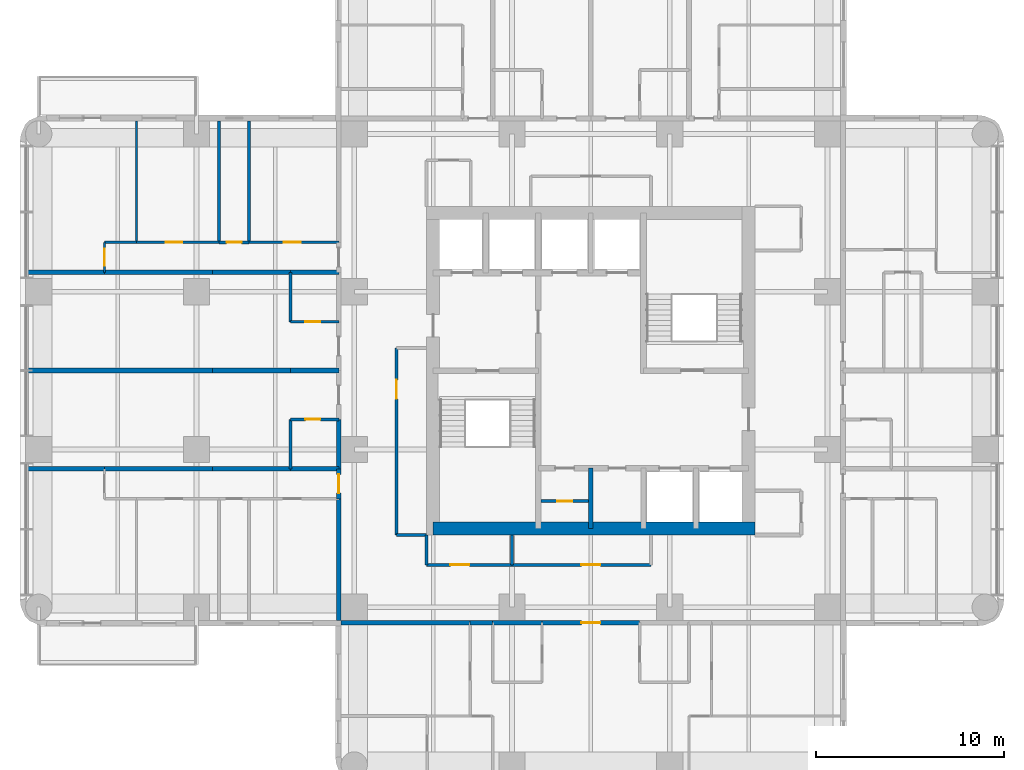
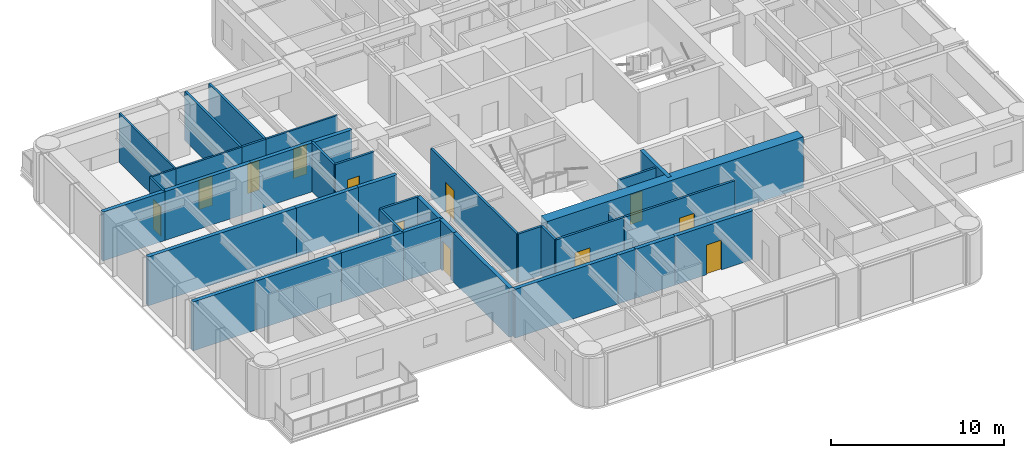
# One storey, part 5 of 11: 39 walls, 12 doors, 12 openings.
"""IFC4 building model written with IfcOpenShell, lengths in metres."""

from ifc_helpers import new_model, si_unit, direction, frame, frame_2d, origin, place, context, subcontext, project, spatial, rectangle, extrude, material, layer, layer_set, type_object, element, fill, save


model = new_model("IFC4")

# Units and contexts
model_context = context("Model", 3, precision=1e-05, world=origin(), true_north=direction((0.0, 1.0)))
body_context = subcontext(model_context, "Body", "Model", "MODEL_VIEW")
ifc_project = project(units=[si_unit("LENGTHUNIT", "METRE"), si_unit("AREAUNIT", "SQUARE_METRE"), si_unit("VOLUMEUNIT", "CUBIC_METRE"), si_unit("PLANEANGLEUNIT", "RADIAN"), si_unit("MASSUNIT", "GRAM", prefix="KILO")], contexts=[model_context])

# Site, building, storey
site_placement = place(None, origin())
site = spatial("IfcSite", under=ifc_project, at=site_placement, CompositionType="ELEMENT")
building_placement = place(site_placement, origin())
building = spatial("IfcBuilding", under=site, at=building_placement, Name="Torre Alcanfor", CompositionType="ELEMENT")
storey_placement = place(building_placement, frame((0.0, 0.0, 222.89990234375)))
storey = spatial("IfcBuildingStorey", under=building, at=storey_placement, Name="L58", CompositionType="ELEMENT", Elevation=222.89990234375)

# Wall, opening, door
ifc_material_1 = material(Name="Concrete block masonry, hollow blocks NMX-C-404 9 MPa", Category="masonry")
ifc_layer_1 = layer(ifc_material_1, 0.25)
ifc_layer_set_1 = layer_set([ifc_layer_1], Name="Apartment entrance wall 250 EI 60")
wall_type_1 = type_object("IfcWallType", Name="Apartment entrance wall 250 EI 60", PredefinedType="PARTITIONING", material=ifc_layer_set_1)
wall_1_placement = place(storey_placement, frame((32.0, 15.97509765625, 0.0), z_axis=(0.0, 0.0, 1.0), x_axis=(-1.0, 0.0, 0.0)))
wall_1 = element("IfcWall", 1, at=wall_1_placement, inside=storey, type_object=wall_type_1, Name="Partition L58-CORR / L58-SX-ZAG", PredefinedType="PARTITIONING", context=body_context, shape_type="SweptSolid", body=[
    extrude(rectangle(XDim=5.199951171875, YDim=0.25, at=frame_2d((2.60009765625, 0.0))), origin(), (0.0, 0.0, 1.0), 3.4501953125),
])
opening_1_placement = place(wall_1_placement, frame((2.10009765625, 0.0, 0.0)))
opening_1 = element("IfcOpeningElement", 2, at=opening_1_placement, cuts=wall_1, Name="Opening D-A1", PredefinedType="OPENING", context=body_context, shape_type="SweptSolid", body=[
    extrude(rectangle(XDim=1.0, YDim=2.10009765625, at=frame_2d((0.5, 1.050048828125))), frame((0.0, 0.135009765625, 0.0), z_axis=(0.0, -1.0, 0.0), x_axis=(1.0, 0.0, 0.0)), (0.0, 0.0, 1.0), 0.27001953125),
])
ifc_material_2 = material(Name="Galvanised steel sheet ASTM A653", Category="steel")
door_type_1 = type_object("IfcDoorType", Name="Apartment entrance door FD60 1000x2100", OperationType="SINGLE_SWING_LEFT", PredefinedType="DOOR", material=ifc_material_2)
door_1_placement = place(opening_1_placement, origin())
door_1 = element("IfcDoor", 3, at=door_1_placement, inside=storey, type_object=door_type_1, Name="Apartment entrance L58-SX", OperationType="SINGLE_SWING_LEFT", OverallHeight=2.10009765625, OverallWidth=1.0, PredefinedType="DOOR", context=body_context, shape_type="SweptSolid", body=[
    extrude(rectangle(XDim=1.0, YDim=2.10009765625, at=frame_2d((0.5, 1.050048828125))), frame((0.0, 0.02490234375, 0.0), z_axis=(0.0, -1.0, 0.0), x_axis=(1.0, 0.0, 0.0)), (0.0, 0.0, 1.0), 0.050048828125),
])
fill(opening_1, door_1)

# Walls
wall_2_placement = place(storey_placement, frame((26.800048828125, 15.97509765625, 0.0), z_axis=(0.0, 0.0, 1.0), x_axis=(-1.0, 0.0, 0.0)))
element("IfcWall", 4, at=wall_2_placement, inside=storey, type_object=wall_type_1, Name="Partition L58-CORR / L58-SX-KITCHEN", PredefinedType="PARTITIONING", context=body_context, shape_type="SweptSolid", body=[
    extrude(rectangle(XDim=2.629150390625, YDim=0.25, at=frame_2d((1.314453125, 0.0))), origin(), (0.0, 0.0, 1.0), 3.4501953125),
])
wall_3_placement = place(storey_placement, frame((24.1708984375, 15.97509765625, 0.0), z_axis=(0.0, 0.0, 1.0), x_axis=(-1.0, 0.0, 0.0)))
element("IfcWall", 5, at=wall_3_placement, inside=storey, type_object=wall_type_1, Name="Partition L58-CORR / L58-SX-LIVING", PredefinedType="PARTITIONING", context=body_context, shape_type="SweptSolid", body=[
    extrude(rectangle(XDim=1.199951171875, YDim=0.25, at=frame_2d((0.60009765625, 0.0))), origin(), (0.0, 0.0, 1.0), 3.4501953125),
])
wall_4_placement = place(storey_placement, frame((22.970947265625, 15.97509765625, 0.0), z_axis=(0.0, 0.0, 1.0), x_axis=(-1.0, 0.0, 0.0)))
element("IfcWall", 6, at=wall_4_placement, inside=storey, type_object=wall_type_1, Name="Partition L58-CORR / L58-SX-BED3", PredefinedType="PARTITIONING", context=body_context, shape_type="SweptSolid", body=[
    extrude(rectangle(XDim=6.870849609375, YDim=0.25, at=frame_2d((3.435546875, 0.0))), origin(), (0.0, 0.0, 1.0), 3.4501953125),
])
wall_5_placement = place(storey_placement, frame((15.97509765625, 24.1708984375, 0.0), z_axis=(0.0, 0.0, 1.0), x_axis=(0.0, 1.0, 0.0)))
element("IfcWall", 7, at=wall_5_placement, inside=storey, type_object=wall_type_1, Name="Partition L58-CORR / L58-W1A-BATH", PredefinedType="PARTITIONING", context=body_context, shape_type="SweptSolid", body=[
    extrude(rectangle(XDim=2.629150390625, YDim=0.25, at=frame_2d((1.314453125, 0.0))), origin(), (0.0, 0.0, 1.0), 3.4501953125),
])

# Wall, opening, door
wall_6_placement = place(storey_placement, frame((15.97509765625, 22.571044921875, 0.0), z_axis=(0.0, 0.0, 1.0), x_axis=(0.0, 1.0, 0.0)))
wall_6 = element("IfcWall", 8, at=wall_6_placement, inside=storey, type_object=wall_type_1, Name="Partition L58-CORR / L58-W1B-HALL", PredefinedType="PARTITIONING", context=body_context, shape_type="SweptSolid", body=[
    extrude(rectangle(XDim=1.599853515625, YDim=0.25, at=frame_2d((0.7998046875, 0.0))), origin(), (0.0, 0.0, 1.0), 3.4501953125),
])
opening_2_placement = place(wall_6_placement, frame((0.300048828125, 0.0, 0.0)))
opening_2 = element("IfcOpeningElement", 9, at=opening_2_placement, cuts=wall_6, Name="Opening D-A1", PredefinedType="OPENING", context=body_context, shape_type="SweptSolid", body=[
    extrude(rectangle(XDim=1.0, YDim=2.10009765625, at=frame_2d((0.5, 1.050048828125))), frame((0.0, 0.135009765625, 0.0), z_axis=(0.0, -1.0, 0.0), x_axis=(1.0, 0.0, 0.0)), (0.0, 0.0, 1.0), 0.27001953125),
])
door_2_placement = place(opening_2_placement, origin())
door_2 = element("IfcDoor", 10, at=door_2_placement, inside=storey, type_object=door_type_1, Name="Apartment entrance L58-W1B", OperationType="SINGLE_SWING_LEFT", OverallHeight=2.10009765625, OverallWidth=1.0, PredefinedType="DOOR", context=body_context, shape_type="SweptSolid", body=[
    extrude(rectangle(XDim=1.0, YDim=2.10009765625, at=frame_2d((0.5, 1.050048828125))), frame((0.0, 0.02490234375, 0.0), z_axis=(0.0, -1.0, 0.0), x_axis=(1.0, 0.0, 0.0)), (0.0, 0.0, 1.0), 0.050048828125),
])
fill(opening_2, door_2)

# Wall
wall_7_placement = place(storey_placement, frame((15.97509765625, 16.10009765625, 0.0), z_axis=(0.0, 0.0, 1.0), x_axis=(0.0, 1.0, 0.0)))
element("IfcWall", 11, at=wall_7_placement, inside=storey, type_object=wall_type_1, Name="Partition L58-CORR / L58-W1B-MASTER", PredefinedType="PARTITIONING", context=body_context, shape_type="SweptSolid", body=[
    extrude(rectangle(XDim=6.470947265625, YDim=0.25, at=frame_2d((3.2353515625, 0.0))), origin(), (0.0, 0.0, 1.0), 3.4501953125),
])

# Wall, opening, door
ifc_material_3 = material(Name="Gypsum board on steel studs", Category="steel")
ifc_layer_2 = layer(ifc_material_3, 0.1201171875)
ifc_layer_set_2 = layer_set([ifc_layer_2], Name="Apartment partition 120")
wall_type_2 = type_object("IfcWallType", Name="Apartment partition 120", PredefinedType="PARTITIONING", material=ifc_layer_set_2)
wall_8_placement = place(storey_placement, frame((11.199951171875, 36.22900390625, 0.0), z_axis=(0.0, 0.0, 1.0), x_axis=(1.0, 0.0, 0.0)))
wall_8 = element("IfcWall", 12, at=wall_8_placement, inside=storey, type_object=wall_type_2, Name="Partition L58-W2B-HALL / L58-W2B-MASTER", PredefinedType="PARTITIONING", context=body_context, shape_type="SweptSolid", body=[
    extrude(rectangle(XDim=4.775146484375, YDim=0.1201171875, at=frame_2d((2.3876953125, 0.0))), origin(), (0.0, 0.0, 1.0), 3.4501953125),
])
opening_3_placement = place(wall_8_placement, frame((1.85009765625, 0.0, 0.0)))
opening_3 = element("IfcOpeningElement", 13, at=opening_3_placement, cuts=wall_8, Name="Opening D-R1", PredefinedType="OPENING", context=body_context, shape_type="SweptSolid", body=[
    extrude(rectangle(XDim=0.89990234375, YDim=2.10009765625, at=frame_2d((0.449951171875, 1.050048828125))), frame((0.0, 0.070068359375, 0.0), z_axis=(0.0, -1.0, 0.0), x_axis=(1.0, 0.0, 0.0)), (0.0, 0.0, 1.0), 0.14013671875),
])
ifc_material_4 = material(Name="Timber", Category="wood")
door_type_2 = type_object("IfcDoorType", Name="Internal door 900x2100", OperationType="SINGLE_SWING_LEFT", PredefinedType="DOOR", material=ifc_material_4)
door_3_placement = place(opening_3_placement, origin())
door_3 = element("IfcDoor", 14, at=door_3_placement, inside=storey, type_object=door_type_2, Name="Door L58-W2B master", OperationType="SINGLE_SWING_LEFT", OverallHeight=2.10009765625, OverallWidth=0.89990234375, PredefinedType="DOOR", context=body_context, shape_type="SweptSolid", body=[
    extrude(rectangle(XDim=0.89990234375, YDim=2.10009765625, at=frame_2d((0.449951171875, 1.050048828125))), frame((0.0, 0.02490234375, 0.0), z_axis=(0.0, -1.0, 0.0), x_axis=(1.0, 0.0, 0.0)), (0.0, 0.0, 1.0), 0.050048828125),
])
fill(opening_3, door_3)

wall_9_placement = place(storey_placement, frame((5.199951171875, 36.22900390625, 0.0), z_axis=(0.0, 0.0, 1.0), x_axis=(1.0, 0.0, 0.0)))
wall_9 = element("IfcWall", 15, at=wall_9_placement, inside=storey, type_object=wall_type_2, Name="Partition L58-W2B-HALL / L58-W2B-STUDY", PredefinedType="PARTITIONING", context=body_context, shape_type="SweptSolid", body=[
    extrude(rectangle(XDim=4.400146484375, YDim=0.1201171875, at=frame_2d((2.2001953125, 0.0))), origin(), (0.0, 0.0, 1.0), 3.4501953125),
])
opening_4_placement = place(wall_9_placement, frame((1.550048828125, 0.0, 0.0)))
opening_4 = element("IfcOpeningElement", 16, at=opening_4_placement, cuts=wall_9, Name="Opening D-R1", PredefinedType="OPENING", context=body_context, shape_type="SweptSolid", body=[
    extrude(rectangle(XDim=0.89990234375, YDim=2.10009765625, at=frame_2d((0.449951171875, 1.050048828125))), frame((0.0, 0.070068359375, 0.0), z_axis=(0.0, -1.0, 0.0), x_axis=(1.0, 0.0, 0.0)), (0.0, 0.0, 1.0), 0.14013671875),
])
door_4_placement = place(opening_4_placement, origin())
door_4 = element("IfcDoor", 17, at=door_4_placement, inside=storey, type_object=door_type_2, Name="Door L58-W2B study", OperationType="SINGLE_SWING_LEFT", OverallHeight=2.10009765625, OverallWidth=0.89990234375, PredefinedType="DOOR", context=body_context, shape_type="SweptSolid", body=[
    extrude(rectangle(XDim=0.89990234375, YDim=2.10009765625, at=frame_2d((0.449951171875, 1.050048828125))), frame((0.0, 0.02490234375, 0.0), z_axis=(0.0, -1.0, 0.0), x_axis=(1.0, 0.0, 0.0)), (0.0, 0.0, 1.0), 0.050048828125),
])
fill(opening_4, door_4)

# Wall
wall_10_placement = place(storey_placement, frame((3.5, 36.22900390625, 0.0), z_axis=(0.0, 0.0, 1.0), x_axis=(1.0, 0.0, 0.0)))
element("IfcWall", 18, at=wall_10_placement, inside=storey, type_object=wall_type_2, Name="Partition L58-W2B-HALL / L58-W2B-KITCHEN", PredefinedType="PARTITIONING", context=body_context, shape_type="SweptSolid", body=[
    extrude(rectangle(XDim=1.699951171875, YDim=0.1201171875, at=frame_2d((0.85009765625, 0.0))), origin(), (0.0, 0.0, 1.0), 3.4501953125),
])

# Wall, opening, door
wall_11_placement = place(storey_placement, frame((3.5, 34.62890625, 0.0), z_axis=(0.0, 0.0, 1.0), x_axis=(0.0, 1.0, 0.0)))
wall_11 = element("IfcWall", 19, at=wall_11_placement, inside=storey, type_object=wall_type_2, Name="Partition L58-W2B-HALL / L58-W2B-LIVING", PredefinedType="PARTITIONING", context=body_context, shape_type="SweptSolid", body=[
    extrude(rectangle(XDim=1.60009765625, YDim=0.1201171875, at=frame_2d((0.800048828125, 0.0))), origin(), (0.0, 0.0, 1.0), 3.4501953125),
])
opening_5_placement = place(wall_11_placement, frame((0.35009765625, 0.0, 0.0)))
opening_5 = element("IfcOpeningElement", 20, at=opening_5_placement, cuts=wall_11, Name="Opening D-R1", PredefinedType="OPENING", context=body_context, shape_type="SweptSolid", body=[
    extrude(rectangle(XDim=0.89990234375, YDim=2.10009765625, at=frame_2d((0.449951171875, 1.050048828125))), frame((0.0, 0.070068359375, 0.0), z_axis=(0.0, -1.0, 0.0), x_axis=(1.0, 0.0, 0.0)), (0.0, 0.0, 1.0), 0.14013671875),
])
door_5_placement = place(opening_5_placement, origin())
door_5 = element("IfcDoor", 21, at=door_5_placement, inside=storey, type_object=door_type_2, Name="Door L58-W2B living", OperationType="SINGLE_SWING_LEFT", OverallHeight=2.10009765625, OverallWidth=0.89990234375, PredefinedType="DOOR", context=body_context, shape_type="SweptSolid", body=[
    extrude(rectangle(XDim=0.89990234375, YDim=2.10009765625, at=frame_2d((0.449951171875, 1.050048828125))), frame((0.0, 0.02490234375, 0.0), z_axis=(0.0, -1.0, 0.0), x_axis=(1.0, 0.0, 0.0)), (0.0, 0.0, 1.0), 0.050048828125),
])
fill(opening_5, door_5)

# Walls
wall_12_placement = place(storey_placement, frame((5.199951171875, 36.22900390625, 0.0), z_axis=(0.0, 0.0, 1.0), x_axis=(0.0, 1.0, 0.0)))
element("IfcWall", 22, at=wall_12_placement, inside=storey, type_object=wall_type_2, Name="Partition L58-W2B-STUDY / L58-W2B-KITCHEN", PredefinedType="PARTITIONING", context=body_context, shape_type="SweptSolid", body=[
    extrude(rectangle(XDim=6.470947265625, YDim=0.1201171875, at=frame_2d((3.2353515625, 0.0))), origin(), (0.0, 0.0, 1.0), 3.4501953125),
])
ifc_material_5 = material(Name="Concrete f'c 70 MPa", Category="concrete")
ifc_layer_3 = layer(ifc_material_5, 0.25)
ifc_layer_set_3 = layer_set([ifc_layer_3], Name="Core shaft wall 250 f'c70")
wall_type_3 = type_object("IfcWallType", Name="Core shaft wall 250 f'c70", PredefinedType="SHEAR", material=ifc_layer_set_3)
wall_13_placement = place(storey_placement, frame((29.39990234375, 21.0, 0.0), z_axis=(0.0, 0.0, 1.0), x_axis=(0.0, 1.0, 0.0)))
element("IfcWall", 23, at=wall_13_placement, inside=storey, type_object=wall_type_3, Name="Core wall X294S L58", PredefinedType="SHEAR", context=body_context, shape_type="SweptSolid", body=[
    extrude(rectangle(XDim=3.199951171875, YDim=0.25, at=frame_2d((1.60009765625, 0.0))), origin(), (0.0, 0.0, 1.0), 3.60009765625),
])
ifc_material_6 = material(Name="Concrete f'c 70 MPa", Category="concrete")
ifc_layer_4 = layer(ifc_material_6, 0.699951171875)
ifc_layer_set_4 = layer_set([ifc_layer_4], Name="Core wall 700 f'c70")
wall_type_4 = type_object("IfcWallType", Name="Core wall 700 f'c70", PredefinedType="SHEAR", material=ifc_layer_set_4)
wall_14_placement = place(storey_placement, frame((21.0, 21.0, 0.0), z_axis=(0.0, 0.0, 1.0), x_axis=(1.0, 0.0, 0.0)))
element("IfcWall", 24, at=wall_14_placement, inside=storey, type_object=wall_type_4, Name="Core wall OUT-S L58", PredefinedType="SHEAR", context=body_context, shape_type="SweptSolid", body=[
    extrude(rectangle(XDim=17.14990234375, YDim=0.699951171875, at=frame_2d((8.574951171875, 0.0))), origin(), (0.0, 0.0, 1.0), 3.60009765625),
])
ifc_material_7 = material(Name="Concrete block masonry, hollow blocks NMX-C-404 9 MPa", Category="masonry")
ifc_layer_5 = layer(ifc_material_7, 0.25)
ifc_layer_set_5 = layer_set([ifc_layer_5], Name="Party wall 250 EI 60")
wall_type_5 = type_object("IfcWallType", Name="Party wall 250 EI 60", PredefinedType="PARTITIONING", material=ifc_layer_set_5)
for number, where, z_axis, x_axis, name in (
    (25, (15.97509765625, 29.39990234375, 0.0), (0.0, 0.0, 1.0), (-1.0, 0.0, 0.0), "Partition L58-W1A-FOYER / L58-W2A-FOYER"),
    (26, (13.39990234375, 24.1708984375, 0.0), (0.0, 0.0, 1.0), (1.0, 0.0, 0.0), "Partition L58-W1A-BATH / L58-W1B-HALL"),
):
    element("IfcWall", number, at=place(storey_placement, frame(where, z_axis=z_axis, x_axis=x_axis)), inside=storey, type_object=wall_type_5, Name=name, PredefinedType="PARTITIONING", context=body_context, shape_type="SweptSolid", body=[
        extrude(rectangle(XDim=2.5751953125, YDim=0.25, at=frame_2d((1.28759765625, 0.0))), origin(), (0.0, 0.0, 1.0), 3.4501953125),
    ])
for number, where, z_axis, x_axis, name in (
    (27, (9.25, 24.1708984375, 0.0), (0.0, 0.0, 1.0), (1.0, 0.0, 0.0), "Partition L58-W1A-KITCHEN / L58-W1B-HALL"),
    (28, (13.39990234375, 29.39990234375, 0.0), (0.0, 0.0, 1.0), (-1.0, 0.0, 0.0), "Partition L58-W1A-KITCHEN / L58-W2A-KITCHEN"),
):
    element("IfcWall", number, at=place(storey_placement, frame(where, z_axis=z_axis, x_axis=x_axis)), inside=storey, type_object=wall_type_5, Name=name, PredefinedType="PARTITIONING", context=body_context, shape_type="SweptSolid", body=[
        extrude(rectangle(XDim=4.14990234375, YDim=0.25, at=frame_2d((2.074951171875, 0.0))), origin(), (0.0, 0.0, 1.0), 3.4501953125),
    ])
wall_15_placement = place(storey_placement, frame((3.5, 24.1708984375, 0.0), z_axis=(0.0, 0.0, 1.0), x_axis=(1.0, 0.0, 0.0)))
element("IfcWall", 29, at=wall_15_placement, inside=storey, type_object=wall_type_5, Name="Partition L58-W1A-STUDIO / L58-W1B-HALL", PredefinedType="PARTITIONING", context=body_context, shape_type="SweptSolid", body=[
    extrude(rectangle(XDim=5.75, YDim=0.25, at=frame_2d((2.875, 0.0))), origin(), (0.0, 0.0, 1.0), 3.4501953125),
])
wall_16_placement = place(storey_placement, frame((-0.64990234375, 24.1708984375, 0.0), z_axis=(0.0, 0.0, 1.0), x_axis=(1.0, 0.0, 0.0)))
element("IfcWall", 30, at=wall_16_placement, inside=storey, type_object=wall_type_5, Name="Partition L58-W1A-STUDIO / L58-W1B-LIVING", PredefinedType="PARTITIONING", context=body_context, shape_type="SweptSolid", body=[
    extrude(rectangle(XDim=4.14990234375, YDim=0.25, at=frame_2d((2.074951171875, 0.0))), origin(), (0.0, 0.0, 1.0), 3.4501953125),
])
wall_17_placement = place(storey_placement, frame((9.25, 29.39990234375, 0.0), z_axis=(0.0, 0.0, 1.0), x_axis=(-1.0, 0.0, 0.0)))
element("IfcWall", 31, at=wall_17_placement, inside=storey, type_object=wall_type_5, Name="Partition L58-W1A-STUDIO / L58-W2A-STUDIO", PredefinedType="PARTITIONING", context=body_context, shape_type="SweptSolid", body=[
    extrude(rectangle(XDim=9.89990234375, YDim=0.25, at=frame_2d((4.949951171875, 0.0))), origin(), (0.0, 0.0, 1.0), 3.4501953125),
])
wall_18_placement = place(storey_placement, frame((13.39990234375, 34.62890625, 0.0), z_axis=(0.0, 0.0, 1.0), x_axis=(1.0, 0.0, 0.0)))
element("IfcWall", 32, at=wall_18_placement, inside=storey, type_object=wall_type_5, Name="Partition L58-W2A-BATH / L58-W2B-HALL", PredefinedType="PARTITIONING", context=body_context, shape_type="SweptSolid", body=[
    extrude(rectangle(XDim=2.5751953125, YDim=0.25, at=frame_2d((1.28759765625, 0.0))), origin(), (0.0, 0.0, 1.0), 3.4501953125),
])
wall_19_placement = place(storey_placement, frame((9.25, 34.62890625, 0.0), z_axis=(0.0, 0.0, 1.0), x_axis=(1.0, 0.0, 0.0)))
element("IfcWall", 33, at=wall_19_placement, inside=storey, type_object=wall_type_5, Name="Partition L58-W2A-KITCHEN / L58-W2B-HALL", PredefinedType="PARTITIONING", context=body_context, shape_type="SweptSolid", body=[
    extrude(rectangle(XDim=4.14990234375, YDim=0.25, at=frame_2d((2.074951171875, 0.0))), origin(), (0.0, 0.0, 1.0), 3.4501953125),
])
wall_20_placement = place(storey_placement, frame((3.5, 34.62890625, 0.0), z_axis=(0.0, 0.0, 1.0), x_axis=(1.0, 0.0, 0.0)))
element("IfcWall", 34, at=wall_20_placement, inside=storey, type_object=wall_type_5, Name="Partition L58-W2A-STUDIO / L58-W2B-HALL", PredefinedType="PARTITIONING", context=body_context, shape_type="SweptSolid", body=[
    extrude(rectangle(XDim=5.75, YDim=0.25, at=frame_2d((2.875, 0.0))), origin(), (0.0, 0.0, 1.0), 3.4501953125),
])
wall_21_placement = place(storey_placement, frame((-0.64990234375, 34.62890625, 0.0), z_axis=(0.0, 0.0, 1.0), x_axis=(1.0, 0.0, 0.0)))
element("IfcWall", 35, at=wall_21_placement, inside=storey, type_object=wall_type_5, Name="Partition L58-W2A-STUDIO / L58-W2B-LIVING", PredefinedType="PARTITIONING", context=body_context, shape_type="SweptSolid", body=[
    extrude(rectangle(XDim=4.14990234375, YDim=0.25, at=frame_2d((2.074951171875, 0.0))), origin(), (0.0, 0.0, 1.0), 3.4501953125),
])
ifc_material_8 = material(Name="Concrete block masonry, hollow blocks NMX-C-404 9 MPa", Category="masonry")
ifc_layer_6 = layer(ifc_material_8, 0.14990234375)
ifc_layer_set_6 = layer_set([ifc_layer_6], Name="Residents' room partition 150")
wall_type_6 = type_object("IfcWallType", Name="Residents' room partition 150", PredefinedType="PARTITIONING", material=ifc_layer_set_6)
wall_22_placement = place(storey_placement, frame((20.64990234375, 20.64990234375, 0.0), z_axis=(0.0, 0.0, 1.0), x_axis=(0.0, -1.0, 0.0)))
element("IfcWall", 36, at=wall_22_placement, inside=storey, type_object=wall_type_6, Name="Partition L58-CORR / L58-G05", PredefinedType="PARTITIONING", context=body_context, shape_type="SweptSolid", body=[
    extrude(rectangle(XDim=1.599853515625, YDim=0.14990234375, at=frame_2d((0.7998046875, 0.0))), origin(), (0.0, 0.0, 1.0), 3.4501953125),
])

# Wall, opening, door
wall_23_placement = place(storey_placement, frame((20.64990234375, 19.050048828125, 0.0), z_axis=(0.0, 0.0, 1.0), x_axis=(1.0, 0.0, 0.0)))
wall_23 = element("IfcWall", 37, at=wall_23_placement, inside=storey, type_object=wall_type_6, Name="Partition L58-CORR / L58-G05", PredefinedType="PARTITIONING", context=body_context, shape_type="SweptSolid", body=[
    extrude(rectangle(XDim=4.550048828125, YDim=0.14990234375, at=frame_2d((2.27490234375, 0.0))), origin(), (0.0, 0.0, 1.0), 3.4501953125),
])
opening_6_placement = place(wall_23_placement, frame((1.27490234375, 0.0, 0.0)))
opening_6 = element("IfcOpeningElement", 38, at=opening_6_placement, cuts=wall_23, Name="Opening D-M1", PredefinedType="OPENING", context=body_context, shape_type="SweptSolid", body=[
    extrude(rectangle(XDim=1.0, YDim=2.10009765625, at=frame_2d((0.5, 1.050048828125))), frame((0.0, 0.0849609375, 0.0), z_axis=(0.0, -1.0, 0.0), x_axis=(1.0, 0.0, 0.0)), (0.0, 0.0, 1.0), 0.169921875),
])
ifc_material_9 = material(Name="Timber", Category="wood")
door_type_3 = type_object("IfcDoorType", Name="Residents' room door 1000x2100", OperationType="SINGLE_SWING_LEFT", PredefinedType="DOOR", material=ifc_material_9)
door_6_placement = place(opening_6_placement, origin())
door_6 = element("IfcDoor", 39, at=door_6_placement, inside=storey, type_object=door_type_3, Name="Door L58-G05 residents' storage", OperationType="SINGLE_SWING_LEFT", OverallHeight=2.10009765625, OverallWidth=1.0, PredefinedType="DOOR", context=body_context, shape_type="SweptSolid", body=[
    extrude(rectangle(XDim=1.0, YDim=2.10009765625, at=frame_2d((0.5, 1.050048828125))), frame((0.0, 0.02490234375, 0.0), z_axis=(0.0, -1.0, 0.0), x_axis=(1.0, 0.0, 0.0)), (0.0, 0.0, 1.0), 0.050048828125),
])
fill(opening_6, door_6)

wall_24_placement = place(storey_placement, frame((25.199951171875, 19.050048828125, 0.0), z_axis=(0.0, 0.0, 1.0), x_axis=(1.0, 0.0, 0.0)))
wall_24 = element("IfcWall", 40, at=wall_24_placement, inside=storey, type_object=wall_type_6, Name="Partition L58-CORR / L58-G06", PredefinedType="PARTITIONING", context=body_context, shape_type="SweptSolid", body=[
    extrude(rectangle(XDim=7.400146484375, YDim=0.14990234375, at=frame_2d((3.7001953125, 0.0))), origin(), (0.0, 0.0, 1.0), 3.4501953125),
])
opening_7_placement = place(wall_24_placement, frame((3.699951171875, 0.0, 0.0)))
opening_7 = element("IfcOpeningElement", 41, at=opening_7_placement, cuts=wall_24, Name="Opening D-M1", PredefinedType="OPENING", context=body_context, shape_type="SweptSolid", body=[
    extrude(rectangle(XDim=1.0, YDim=2.10009765625, at=frame_2d((0.5, 1.050048828125))), frame((0.0, 0.0849609375, 0.0), z_axis=(0.0, -1.0, 0.0), x_axis=(1.0, 0.0, 0.0)), (0.0, 0.0, 1.0), 0.169921875),
])
door_7_placement = place(opening_7_placement, origin())
door_7 = element("IfcDoor", 42, at=door_7_placement, inside=storey, type_object=door_type_3, Name="Door L58-G06 residents' storage", OperationType="SINGLE_SWING_RIGHT", OverallHeight=2.10009765625, OverallWidth=1.0, PredefinedType="DOOR", context=body_context, shape_type="SweptSolid", body=[
    extrude(rectangle(XDim=1.0, YDim=2.10009765625, at=frame_2d((0.5, 1.050048828125))), frame((0.0, 0.02490234375, 0.0), z_axis=(0.0, -1.0, 0.0), x_axis=(1.0, 0.0, 0.0)), (0.0, 0.0, 1.0), 0.050048828125),
])
fill(opening_7, door_7)

wall_25_placement = place(storey_placement, frame((19.050048828125, 30.60009765625, 0.0), z_axis=(0.0, 0.0, 1.0), x_axis=(0.0, -1.0, 0.0)))
wall_25 = element("IfcWall", 43, at=wall_25_placement, inside=storey, type_object=wall_type_6, Name="Partition L58-CORR / L58-G07", PredefinedType="PARTITIONING", context=body_context, shape_type="SweptSolid", body=[
    extrude(rectangle(XDim=9.9501953125, YDim=0.14990234375, at=frame_2d((4.97509765625, 0.0))), origin(), (0.0, 0.0, 1.0), 3.4501953125),
])
opening_8_placement = place(wall_25_placement, frame((1.699951171875, 0.0, 0.0)))
opening_8 = element("IfcOpeningElement", 44, at=opening_8_placement, cuts=wall_25, Name="Opening D-M1", PredefinedType="OPENING", context=body_context, shape_type="SweptSolid", body=[
    extrude(rectangle(XDim=1.0, YDim=2.10009765625, at=frame_2d((0.5, 1.050048828125))), frame((0.0, 0.0849609375, 0.0), z_axis=(0.0, -1.0, 0.0), x_axis=(1.0, 0.0, 0.0)), (0.0, 0.0, 1.0), 0.169921875),
])
door_8_placement = place(opening_8_placement, origin())
door_8 = element("IfcDoor", 45, at=door_8_placement, inside=storey, type_object=door_type_3, Name="Door L58-G07 residents' study", OperationType="SINGLE_SWING_LEFT", OverallHeight=2.10009765625, OverallWidth=1.0, PredefinedType="DOOR", context=body_context, shape_type="SweptSolid", body=[
    extrude(rectangle(XDim=1.0, YDim=2.10009765625, at=frame_2d((0.5, 1.050048828125))), frame((0.0, 0.02490234375, 0.0), z_axis=(0.0, -1.0, 0.0), x_axis=(1.0, 0.0, 0.0)), (0.0, 0.0, 1.0), 0.050048828125),
])
fill(opening_8, door_8)

# Walls
wall_26_placement = place(storey_placement, frame((19.050048828125, 20.64990234375, 0.0), z_axis=(0.0, 0.0, 1.0), x_axis=(1.0, 0.0, 0.0)))
element("IfcWall", 46, at=wall_26_placement, inside=storey, type_object=wall_type_6, Name="Partition L58-CORR / L58-G07", PredefinedType="PARTITIONING", context=body_context, shape_type="SweptSolid", body=[
    extrude(rectangle(XDim=1.599853515625, YDim=0.14990234375, at=frame_2d((0.7998046875, 0.0))), origin(), (0.0, 0.0, 1.0), 3.4501953125),
])
wall_27_placement = place(storey_placement, frame((25.199951171875, 19.050048828125, 0.0), z_axis=(0.0, 0.0, 1.0), x_axis=(0.0, 1.0, 0.0)))
element("IfcWall", 47, at=wall_27_placement, inside=storey, type_object=wall_type_6, Name="Partition L58-G05 / L58-G06", PredefinedType="PARTITIONING", context=body_context, shape_type="SweptSolid", body=[
    extrude(rectangle(XDim=1.599853515625, YDim=0.14990234375, at=frame_2d((0.7998046875, 0.0))), origin(), (0.0, 0.0, 1.0), 2.766845703125),
])

# Wall, opening, door
wall_28_placement = place(storey_placement, frame((26.75, 22.449951171875, 0.0), z_axis=(0.0, 0.0, 1.0), x_axis=(1.0, 0.0, 0.0)))
wall_28 = element("IfcWall", 48, at=wall_28_placement, inside=storey, type_object=wall_type_6, Name="Partition L58-PA1R / L58-PA1C", PredefinedType="PARTITIONING", context=body_context, shape_type="SweptSolid", body=[
    extrude(rectangle(XDim=2.52490234375, YDim=0.14990234375, at=frame_2d((1.262451171875, 0.0))), origin(), (0.0, 0.0, 1.0), 3.4501953125),
])
opening_9_placement = place(wall_28_placement, frame((0.862548828125, 0.0, 0.0)))
opening_9 = element("IfcOpeningElement", 49, at=opening_9_placement, cuts=wall_28, Name="Opening D-R2", PredefinedType="OPENING", context=body_context, shape_type="SweptSolid", body=[
    extrude(rectangle(XDim=0.800048828125, YDim=2.10009765625, at=frame_2d((0.39990234375, 1.050048828125))), frame((0.0, 0.0849609375, 0.0), z_axis=(0.0, -1.0, 0.0), x_axis=(1.0, 0.0, 0.0)), (0.0, 0.0, 1.0), 0.169921875),
])
ifc_material_10 = material(Name="Timber", Category="wood")
door_type_4 = type_object("IfcDoorType", Name="Bathroom door 800x2100", OperationType="SINGLE_SWING_LEFT", PredefinedType="DOOR", material=ifc_material_10)
door_9_placement = place(opening_9_placement, frame((0.800048828125, 0.0, 0.0), z_axis=(0.0, 0.0, 1.0), x_axis=(-1.0, 0.0, 0.0)))
door_9 = element("IfcDoor", 50, at=door_9_placement, inside=storey, type_object=door_type_4, Name="Battery and UPS cupboard door L58", OperationType="SINGLE_SWING_RIGHT", OverallHeight=2.10009765625, OverallWidth=0.800048828125, PredefinedType="DOOR", context=body_context, shape_type="SweptSolid", body=[
    extrude(rectangle(XDim=0.800048828125, YDim=2.10009765625, at=frame_2d((0.400146484375, 1.050048828125))), frame((0.0, 0.025146484375, 0.0), z_axis=(0.0, -1.0, 0.0), x_axis=(1.0, 0.0, 0.0)), (0.0, 0.0, 1.0), 0.050048828125),
])
fill(opening_9, door_9)

ifc_material_11 = material(Name="Cement board on steel studs", Category="steel")
ifc_layer_7 = layer(ifc_material_11, 0.14990234375)
ifc_layer_set_7 = layer_set([ifc_layer_7], Name="Wet area partition 150")
wall_type_7 = type_object("IfcWallType", Name="Wet area partition 150", PredefinedType="PARTITIONING", material=ifc_layer_set_7)
wall_29_placement = place(storey_placement, frame((13.39990234375, 26.800048828125, 0.0), z_axis=(0.0, 0.0, 1.0), x_axis=(1.0, 0.0, 0.0)))
wall_29 = element("IfcWall", 51, at=wall_29_placement, inside=storey, type_object=wall_type_7, Name="Partition L58-W1A-FOYER / L58-W1A-BATH", PredefinedType="PARTITIONING", context=body_context, shape_type="SweptSolid", body=[
    extrude(rectangle(XDim=2.5751953125, YDim=0.14990234375, at=frame_2d((1.28759765625, 0.0))), origin(), (0.0, 0.0, 1.0), 3.4501953125),
])
opening_10_placement = place(wall_29_placement, frame((0.800048828125, 0.0, 0.0)))
opening_10 = element("IfcOpeningElement", 52, at=opening_10_placement, cuts=wall_29, Name="Opening D-R2", PredefinedType="OPENING", context=body_context, shape_type="SweptSolid", body=[
    extrude(rectangle(XDim=0.800048828125, YDim=2.10009765625, at=frame_2d((0.39990234375, 1.050048828125))), frame((0.0, 0.0849609375, 0.0), z_axis=(0.0, -1.0, 0.0), x_axis=(1.0, 0.0, 0.0)), (0.0, 0.0, 1.0), 0.169921875),
])
door_10_placement = place(opening_10_placement, frame((0.800048828125, 0.0, 0.0), z_axis=(0.0, 0.0, 1.0), x_axis=(-1.0, 0.0, 0.0)))
door_10 = element("IfcDoor", 53, at=door_10_placement, inside=storey, type_object=door_type_4, Name="Door L58-W1A bath", OperationType="SINGLE_SWING_RIGHT", OverallHeight=2.10009765625, OverallWidth=0.800048828125, PredefinedType="DOOR", context=body_context, shape_type="SweptSolid", body=[
    extrude(rectangle(XDim=0.800048828125, YDim=2.10009765625, at=frame_2d((0.400146484375, 1.050048828125))), frame((0.0, 0.025146484375, 0.0), z_axis=(0.0, -1.0, 0.0), x_axis=(1.0, 0.0, 0.0)), (0.0, 0.0, 1.0), 0.050048828125),
])
fill(opening_10, door_10)

# Wall
wall_30_placement = place(storey_placement, frame((13.39990234375, 26.800048828125, 0.0), z_axis=(0.0, 0.0, 1.0), x_axis=(0.0, -1.0, 0.0)))
element("IfcWall", 54, at=wall_30_placement, inside=storey, type_object=wall_type_7, Name="Partition L58-W1A-BATH / L58-W1A-KITCHEN", PredefinedType="PARTITIONING", context=body_context, shape_type="SweptSolid", body=[
    extrude(rectangle(XDim=2.629150390625, YDim=0.14990234375, at=frame_2d((1.314453125, 0.0))), origin(), (0.0, 0.0, 1.0), 3.4501953125),
])

# Wall, opening, door
wall_31_placement = place(storey_placement, frame((13.39990234375, 32.0, 0.0), z_axis=(0.0, 0.0, 1.0), x_axis=(1.0, 0.0, 0.0)))
wall_31 = element("IfcWall", 55, at=wall_31_placement, inside=storey, type_object=wall_type_7, Name="Partition L58-W2A-FOYER / L58-W2A-BATH", PredefinedType="PARTITIONING", context=body_context, shape_type="SweptSolid", body=[
    extrude(rectangle(XDim=2.5751953125, YDim=0.14990234375, at=frame_2d((1.28759765625, 0.0))), origin(), (0.0, 0.0, 1.0), 3.4501953125),
])
opening_11_placement = place(wall_31_placement, frame((0.800048828125, 0.0, 0.0)))
opening_11 = element("IfcOpeningElement", 56, at=opening_11_placement, cuts=wall_31, Name="Opening D-R2", PredefinedType="OPENING", context=body_context, shape_type="SweptSolid", body=[
    extrude(rectangle(XDim=0.800048828125, YDim=2.10009765625, at=frame_2d((0.39990234375, 1.050048828125))), frame((0.0, 0.0849609375, 0.0), z_axis=(0.0, -1.0, 0.0), x_axis=(1.0, 0.0, 0.0)), (0.0, 0.0, 1.0), 0.169921875),
])
door_11_placement = place(opening_11_placement, origin())
door_11 = element("IfcDoor", 57, at=door_11_placement, inside=storey, type_object=door_type_4, Name="Door L58-W2A bath", OperationType="SINGLE_SWING_LEFT", OverallHeight=2.10009765625, OverallWidth=0.800048828125, PredefinedType="DOOR", context=body_context, shape_type="SweptSolid", body=[
    extrude(rectangle(XDim=0.800048828125, YDim=2.10009765625, at=frame_2d((0.39990234375, 1.050048828125))), frame((0.0, 0.02490234375, 0.0), z_axis=(0.0, -1.0, 0.0), x_axis=(1.0, 0.0, 0.0)), (0.0, 0.0, 1.0), 0.050048828125),
])
fill(opening_11, door_11)

# Wall
wall_32_placement = place(storey_placement, frame((13.39990234375, 32.0, 0.0), z_axis=(0.0, 0.0, 1.0), x_axis=(0.0, 1.0, 0.0)))
element("IfcWall", 58, at=wall_32_placement, inside=storey, type_object=wall_type_7, Name="Partition L58-W2A-BATH / L58-W2A-KITCHEN", PredefinedType="PARTITIONING", context=body_context, shape_type="SweptSolid", body=[
    extrude(rectangle(XDim=2.62890625, YDim=0.14990234375, at=frame_2d((1.314453125, 0.0))), origin(), (0.0, 0.0, 1.0), 3.4501953125),
])

# Wall, opening, door
wall_33_placement = place(storey_placement, frame((9.60009765625, 36.22900390625, 0.0), z_axis=(0.0, 0.0, 1.0), x_axis=(1.0, 0.0, 0.0)))
wall_33 = element("IfcWall", 59, at=wall_33_placement, inside=storey, type_object=wall_type_7, Name="Partition L58-W2B-HALL / L58-W2B-BATH", PredefinedType="PARTITIONING", context=body_context, shape_type="SweptSolid", body=[
    extrude(rectangle(XDim=1.599853515625, YDim=0.14990234375, at=frame_2d((0.7998046875, 0.0))), origin(), (0.0, 0.0, 1.0), 3.4501953125),
])
opening_12_placement = place(wall_33_placement, frame((0.39990234375, 0.0, 0.0)))
opening_12 = element("IfcOpeningElement", 60, at=opening_12_placement, cuts=wall_33, Name="Opening D-R2", PredefinedType="OPENING", context=body_context, shape_type="SweptSolid", body=[
    extrude(rectangle(XDim=0.800048828125, YDim=2.10009765625, at=frame_2d((0.39990234375, 1.050048828125))), frame((0.0, 0.0849609375, 0.0), z_axis=(0.0, -1.0, 0.0), x_axis=(1.0, 0.0, 0.0)), (0.0, 0.0, 1.0), 0.169921875),
])
door_12_placement = place(opening_12_placement, origin())
door_12 = element("IfcDoor", 61, at=door_12_placement, inside=storey, type_object=door_type_4, Name="Door L58-W2B bath", OperationType="SINGLE_SWING_LEFT", OverallHeight=2.10009765625, OverallWidth=0.800048828125, PredefinedType="DOOR", context=body_context, shape_type="SweptSolid", body=[
    extrude(rectangle(XDim=0.800048828125, YDim=2.10009765625, at=frame_2d((0.39990234375, 1.050048828125))), frame((0.0, 0.02490234375, 0.0), z_axis=(0.0, -1.0, 0.0), x_axis=(1.0, 0.0, 0.0)), (0.0, 0.0, 1.0), 0.050048828125),
])
fill(opening_12, door_12)

# Walls
for number, where, z_axis, x_axis, name in (
    (62, (11.199951171875, 36.22900390625, 0.0), (0.0, 0.0, 1.0), (0.0, 1.0, 0.0), "Partition L58-W2B-MASTER / L58-W2B-BATH"),
    (63, (9.60009765625, 36.22900390625, 0.0), (0.0, 0.0, 1.0), (0.0, 1.0, 0.0), "Partition L58-W2B-BATH / L58-W2B-STUDY"),
):
    element("IfcWall", number, at=place(storey_placement, frame(where, z_axis=z_axis, x_axis=x_axis)), inside=storey, type_object=wall_type_7, Name=name, PredefinedType="PARTITIONING", context=body_context, shape_type="SweptSolid", body=[
        extrude(rectangle(XDim=6.470947265625, YDim=0.14990234375, at=frame_2d((3.2353515625, 0.0))), origin(), (0.0, 0.0, 1.0), 3.4501953125),
    ])

save(model, "model.ifc")
